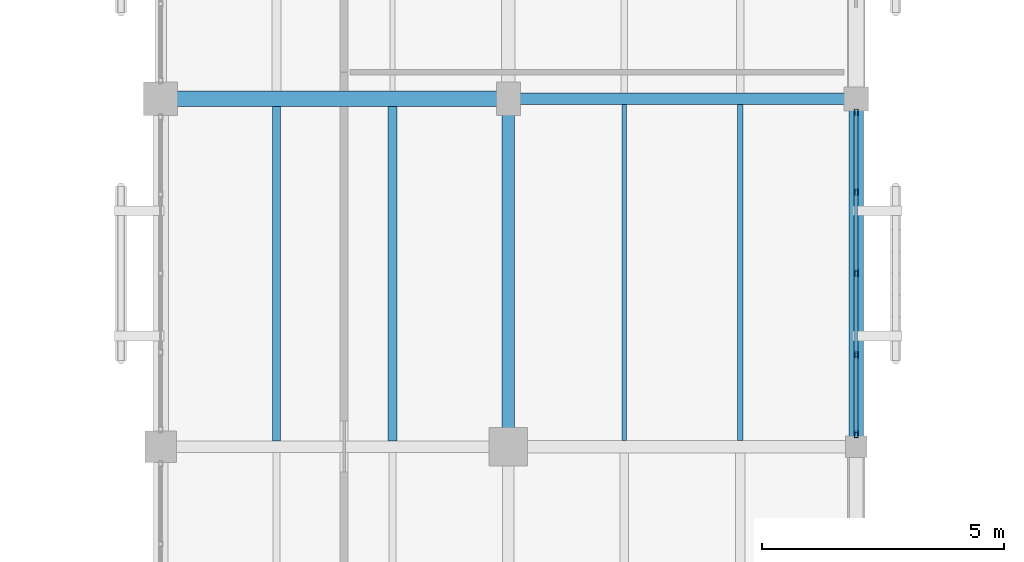
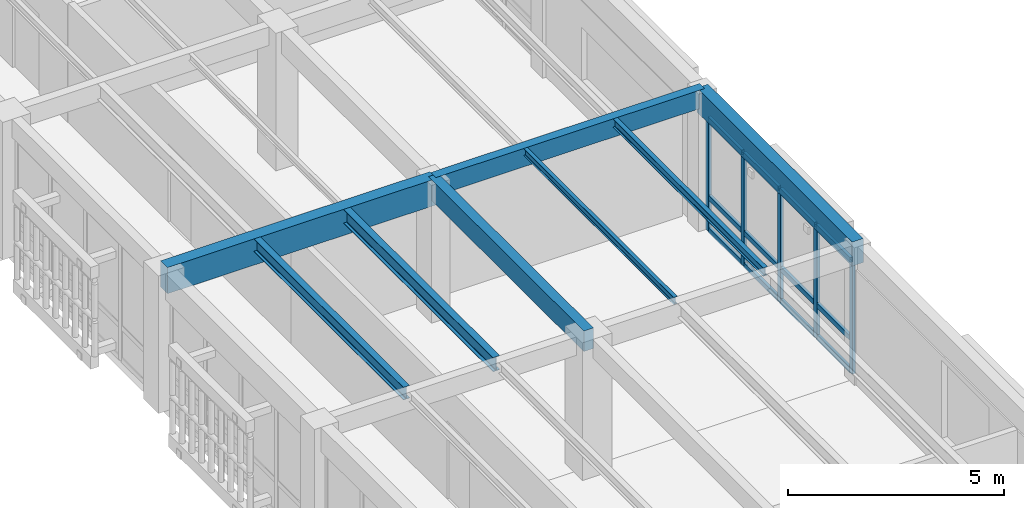
# One storey, part 42 of 170: 17 members, 8 beams, 1 element without a shape of its own.
"""IFC4 building model written with IfcOpenShell, lengths in metres."""

import ifcopenshell
import ifcopenshell.guid

model = None  # the IFC model being written
_history = None  # IfcOwnerHistory: only IFC2X3 demands one
_inside = {}  # id of a spatial element -> (the spatial element, [elements in it])
_under = {}  # id of a project, library or spatial element -> (it, [spatial elements below it])
_declared = {}  # id of a project -> (the project, [libraries it declares])
_typed = {}  # id of a type object -> (the type object, [elements of that type])
_made_of = {}  # id of a material, layer set ... -> (it, [elements and type objects made of it])


def new_model(schema):
    """Start an empty IFC model of exactly this schema.

    Asked for "IFC4X3", IfcOpenShell would pick the latest addendum, in which some entities
    have other attributes; the version numbers below select the first issue.
    IFC2X3 requires an IfcOwnerHistory on every rooted entity: one is made here for all.
    """
    global model, _history
    if schema == "IFC4X3":
        model = ifcopenshell.file(schema_version=(4, 3, 0, 0))
    else:
        model = ifcopenshell.file(schema=schema)
    _inside.clear()
    _under.clear()
    _declared.clear()
    _typed.clear()
    _made_of.clear()
    _history = None
    if model.schema == "IFC2X3":
        org = make("IfcOrganization", Name="unknown")
        user = make(
            "IfcPersonAndOrganization",
            ThePerson=make("IfcPerson", FamilyName="unknown"),
            TheOrganization=org,
        )
        app = make(
            "IfcApplication",
            ApplicationDeveloper=org,
            Version="unknown",
            ApplicationFullName="unknown",
            ApplicationIdentifier="unknown",
        )
        _history = make(
            "IfcOwnerHistory",
            OwningUser=user,
            OwningApplication=app,
            ChangeAction="ADDED",
            CreationDate=0,
        )
    return model


def make(cls, **values):
    """One entity of the class cls with the attributes given. An attribute that is None is left unset."""
    return model.create_entity(
        cls, **{name: value for name, value in values.items() if value is not None}
    )


def rooted(cls, **values):
    """An entity with a GlobalId (a new one), such as an element, a storey or a relation."""
    return make(cls, GlobalId=ifcopenshell.guid.new(), OwnerHistory=_history, **values)


def si_unit(unit_type, name, prefix=None):
    """IfcSIUnit, for example si_unit("LENGTHUNIT", "METRE", prefix="MILLI")."""
    return make("IfcSIUnit", UnitType=unit_type, Prefix=prefix, Name=name)


def assignment(units):
    """IfcUnitAssignment: the units of a project."""
    return None if units is None else make("IfcUnitAssignment", Units=units)


def point(xyz):
    """IfcCartesianPoint."""
    return None if xyz is None else make("IfcCartesianPoint", Coordinates=xyz)


def direction(xyz):
    """IfcDirection."""
    return None if xyz is None else make("IfcDirection", DirectionRatios=xyz)


def frame(location, z_axis=None, x_axis=None):
    """IfcAxis2Placement3D, a coordinate frame: its origin and axes. An axis left out is left unset."""
    return make(
        "IfcAxis2Placement3D",
        Location=point(location),
        Axis=direction(z_axis),
        RefDirection=direction(x_axis),
    )


def frame_2d(location, x_axis=None):
    """IfcAxis2Placement2D, a coordinate frame in the plane: its origin and x axis."""
    return make(
        "IfcAxis2Placement2D", Location=point(location), RefDirection=direction(x_axis)
    )


def origin():
    """The frame at (0, 0, 0) with its axes left unset."""
    return frame((0.0, 0.0, 0.0))


def origin_2d():
    """The frame at (0, 0) in the plane with its x axis left unset."""
    return frame_2d((0.0, 0.0))


def place(relative_to, where):
    """IfcLocalPlacement: puts the frame where relative to a parent placement (None: the world)."""
    return make(
        "IfcLocalPlacement", PlacementRelTo=relative_to, RelativePlacement=where
    )


def context(
    kind, dimensions, precision=None, world=None, true_north=None, identifier=None
):
    """IfcGeometricRepresentationContext, for example the 3D "Model" context."""
    return make(
        "IfcGeometricRepresentationContext",
        ContextIdentifier=identifier,
        ContextType=kind,
        CoordinateSpaceDimension=dimensions,
        Precision=precision,
        WorldCoordinateSystem=world,
        TrueNorth=true_north,
    )


def subcontext(parent, identifier, kind, view, scale=None):
    """IfcGeometricRepresentationSubContext, for example "Body" below "Model"."""
    return make(
        "IfcGeometricRepresentationSubContext",
        ContextIdentifier=identifier,
        ContextType=kind,
        ParentContext=parent,
        TargetScale=scale,
        TargetView=view,
    )


def project(units=None, contexts=None):
    """IfcProject with its units and contexts."""
    return rooted(
        "IfcProject",
        Name="project",
        RepresentationContexts=contexts,
        UnitsInContext=assignment(units),
    )


def spatial(cls, under=None, at=None, **own):
    """A site, building, storey or space (cls), placed at a placement, below another one or the project."""
    s = rooted(cls, ObjectPlacement=at, **own)
    if under is not None:
        _under.setdefault(under.id(), (under, []))[1].append(s)
    return s


def profile(cls, at=None, kind="AREA", **sizes):
    """A parametric profile (cls). Its sizes go by their IFC names, for example OverallWidth=200.0."""
    return make(cls, ProfileType=kind, Position=at, **sizes)


def rectangle(**sizes):
    """IfcRectangleProfileDef."""
    return profile("IfcRectangleProfileDef", **sizes)


def hollow_rectangle(**sizes):
    """IfcRectangleHollowProfileDef."""
    return profile("IfcRectangleHollowProfileDef", **sizes)


def i_section(**sizes):
    """IfcIShapeProfileDef."""
    return profile("IfcIShapeProfileDef", **sizes)


def extrude(swept, where, along, depth):
    """IfcExtrudedAreaSolid: the profile swept, set in the frame where, extruded along a direction by depth."""
    return make(
        "IfcExtrudedAreaSolid",
        SweptArea=swept,
        Position=where,
        ExtrudedDirection=direction(along),
        Depth=depth,
    )


def shape(context_of_items, identifier, shape_type, items):
    """IfcShapeRepresentation: the items that make up one representation, for example the "Body"."""
    return make(
        "IfcShapeRepresentation",
        ContextOfItems=context_of_items,
        RepresentationIdentifier=identifier,
        RepresentationType=shape_type,
        Items=items,
    )


def material(Name=None, Category=None):
    """IfcMaterial."""
    return make("IfcMaterial", Name=Name, Category=Category)


def layer(
    of_material, thickness, ventilated=None, Name=None, Category=None, Priority=None
):
    """IfcMaterialLayer: one layer of a wall or slab, of a material (None: an air gap)."""
    return make(
        "IfcMaterialLayer",
        Material=of_material,
        LayerThickness=thickness,
        IsVentilated=ventilated,
        Name=Name,
        Category=Category,
        Priority=Priority,
    )


def layer_set(layers, Name=None):
    """IfcMaterialLayerSet."""
    return make("IfcMaterialLayerSet", MaterialLayers=layers, LayerSetName=Name)


def material_profile(
    of_material, cross_section, Name=None, Category=None, Priority=None
):
    """IfcMaterialProfile: a cross section and its material."""
    return make(
        "IfcMaterialProfile",
        Name=Name,
        Material=of_material,
        Profile=cross_section,
        Priority=Priority,
        Category=Category,
    )


def profile_set(profiles, Name=None, composite=None):
    """IfcMaterialProfileSet."""
    return make(
        "IfcMaterialProfileSet",
        Name=Name,
        MaterialProfiles=profiles,
        CompositeProfile=composite,
    )


def made_of(thing, what):
    """Note that an element or type object is made of a material, layer set ...; save() writes the relation."""
    if what is not None:
        _made_of.setdefault(what.id(), (what, []))[1].append(thing)
    return thing


def type_object(cls, material=None, **own):
    """A type object (cls), such as IfcWallType, which elements share."""
    return made_of(rooted(cls, **own), material)


def element(
    cls,
    number,
    at=None,
    inside=None,
    cuts=None,
    type_object=None,
    material=None,
    context=None,
    identifier="Body",
    shape_type=None,
    held_by="IfcProductDefinitionShape",
    body=None,
    shapes=None,
    **own,
):
    """One element of the class cls, such as IfcWall. Its Tag is "e" and its number.

    at: its placement. inside: the storey or other place that contains it. cuts: it is an
    opening in that element (IfcRelVoidsElement). A single representation is given by context,
    identifier, shape_type and body (its items); several are given by shapes. held_by: the class
    of the entity that holds the representations. save() writes the other relations.
    """
    e = rooted(cls, Tag="e%d" % number, ObjectPlacement=at, **own)
    if body is not None:
        shapes = [shape(context, identifier, shape_type, body)]
    if shapes is not None:
        e.Representation = make(held_by, Representations=shapes)
    if inside is not None:
        _inside.setdefault(inside.id(), (inside, []))[1].append(e)
    if cuts is not None:
        rooted(
            "IfcRelVoidsElement", RelatingBuildingElement=cuts, RelatedOpeningElement=e
        )
    if type_object is not None:
        _typed.setdefault(type_object.id(), (type_object, []))[1].append(e)
    return made_of(e, material)


def aggregate(whole, parts):
    """IfcRelAggregates: a whole, such as a stair, and the parts it consists of."""
    return rooted("IfcRelAggregates", RelatingObject=whole, RelatedObjects=parts)


def save(model, path):
    """Write the relations noted so far, then the file.

    IfcRelAggregates (storeys below a building ...), IfcRelContainedInSpatialStructure (elements
    in a storey), IfcRelDefinesByType, IfcRelAssociatesMaterial and IfcRelDeclares: one each for
    every whole, place, type object, material and project.
    """
    for whole, parts in _under.values():
        aggregate(whole, parts)
    for where, things in _inside.values():
        rooted(
            "IfcRelContainedInSpatialStructure",
            RelatedElements=things,
            RelatingStructure=where,
        )
    for kind, things in _typed.values():
        rooted("IfcRelDefinesByType", RelatedObjects=things, RelatingType=kind)
    for what, things in _made_of.values():
        rooted("IfcRelAssociatesMaterial", RelatedObjects=things, RelatingMaterial=what)
    for by, libraries in _declared.values():
        rooted("IfcRelDeclares", RelatingContext=by, RelatedDefinitions=libraries)
    model.write(path)


model = new_model("IFC4")

# Units and contexts
model_context = context("Model", 3, precision=1e-05, world=origin(), true_north=direction((0.0, 1.0)))
body_context = subcontext(model_context, "Body", "Model", "MODEL_VIEW")
ifc_project = project(units=[si_unit("LENGTHUNIT", "METRE"), si_unit("AREAUNIT", "SQUARE_METRE"), si_unit("VOLUMEUNIT", "CUBIC_METRE"), si_unit("PLANEANGLEUNIT", "RADIAN"), si_unit("MASSUNIT", "GRAM", prefix="KILO")], contexts=[model_context])

# Site, building, storey
site_placement = place(None, origin())
site = spatial("IfcSite", under=ifc_project, at=site_placement, CompositionType="ELEMENT")
building_placement = place(site_placement, origin())
building = spatial("IfcBuilding", under=site, at=building_placement, Name="Mazaris Harbour Polytechnic", CompositionType="ELEMENT")
storey_placement = place(building_placement, frame((0.0, 0.0, 5.39990234375)))
storey = spatial("IfcBuildingStorey", under=building, at=storey_placement, Name="L01", CompositionType="ELEMENT", Elevation=5.39990234375)

# Curtain wall, members
ifc_material_1 = material(Name="Anodised Bronze Aluminium and Low-E Glass", Category="aluminium")
ifc_layer = layer(ifc_material_1, 0.159912109375, Name="Anodised Bronze Aluminium and Low-E Glass")
ifc_layer_set = layer_set([ifc_layer], Name="Anodised Bronze Aluminium and Low-E Glass")
curtain_wall_type = type_object("IfcCurtainWallType", Name="Cloister Court Curtain Wall", PredefinedType="NOTDEFINED", material=ifc_layer_set)
curtain_wall_placement = place(storey_placement, origin())
curtain_wall = element("IfcCurtainWall", 1, at=curtain_wall_placement, inside=storey, type_object=curtain_wall_type, Name="V4 L01 Curtain Wall 113", PredefinedType="NOTDEFINED")
ifc_material_2 = material(Name="Anodised Bronze Steel S355", Category="steel")
ifc_material_profile_1 = material_profile(ifc_material_2, hollow_rectangle(XDim=0.080078125, YDim=0.139892578125, WallThickness=0.00634765625, at=origin_2d()), Name="RHS 80x140x6.3")
ifc_profile_set_1 = profile_set([ifc_material_profile_1], Name="Anodised Bronze Steel S355")
member_type_1 = type_object("IfcMemberType", Name="Curtain Mullion RHS80x140", PredefinedType="MULLION", material=ifc_profile_set_1)
member_1_placement = place(storey_placement, frame((43.199951171875, 60.91796875, 0.0), z_axis=(0.0, 0.0, 1.0), x_axis=(1.0, 0.0, 0.0)))
member_1 = element("IfcMember", 2, at=member_1_placement, type_object=member_type_1, Name="CW-02 mullion 1", PredefinedType="MULLION", context=body_context, shape_type="SweptSolid", body=[
    extrude(hollow_rectangle(XDim=0.080078125, YDim=0.139892578125, WallThickness=0.00634765625, at=origin_2d()), origin(), (0.0, 0.0, 1.0), 3.2001953125),
])
member_2_placement = place(storey_placement, frame((43.199951171875, 59.272705078125, 0.0), z_axis=(0.0, 0.0, 1.0), x_axis=(1.0, 0.0, 0.0)))
member_2 = element("IfcMember", 3, at=member_2_placement, type_object=member_type_1, Name="CW-02 mullion 2", PredefinedType="MULLION", context=body_context, shape_type="SweptSolid", body=[
    extrude(hollow_rectangle(XDim=0.080078125, YDim=0.139892578125, WallThickness=0.00634765625, at=origin_2d()), origin(), (0.0, 0.0, 1.0), 3.2001953125),
])
member_3_placement = place(storey_placement, frame((43.199951171875, 57.58740234375, 0.0), z_axis=(0.0, 0.0, 1.0), x_axis=(1.0, 0.0, 0.0)))
member_3 = element("IfcMember", 4, at=member_3_placement, type_object=member_type_1, Name="CW-02 mullion 3", PredefinedType="MULLION", context=body_context, shape_type="SweptSolid", body=[
    extrude(hollow_rectangle(XDim=0.080078125, YDim=0.139892578125, WallThickness=0.00634765625, at=origin_2d()), origin(), (0.0, 0.0, 1.0), 3.2001953125),
])
member_4_placement = place(storey_placement, frame((43.199951171875, 55.90234375, 0.0), z_axis=(0.0, 0.0, 1.0), x_axis=(1.0, 0.0, 0.0)))
member_4 = element("IfcMember", 5, at=member_4_placement, type_object=member_type_1, Name="CW-02 mullion 4", PredefinedType="MULLION", context=body_context, shape_type="SweptSolid", body=[
    extrude(hollow_rectangle(XDim=0.080078125, YDim=0.139892578125, WallThickness=0.00634765625, at=origin_2d()), origin(), (0.0, 0.0, 1.0), 3.2001953125),
])
member_5_placement = place(storey_placement, frame((43.199951171875, 54.257080078125, 0.0), z_axis=(0.0, 0.0, 1.0), x_axis=(1.0, 0.0, 0.0)))
member_5 = element("IfcMember", 6, at=member_5_placement, type_object=member_type_1, Name="CW-02 mullion 5", PredefinedType="MULLION", context=body_context, shape_type="SweptSolid", body=[
    extrude(hollow_rectangle(XDim=0.080078125, YDim=0.139892578125, WallThickness=0.00634765625, at=origin_2d()), origin(), (0.0, 0.0, 1.0), 3.2001953125),
])
ifc_material_3 = material(Name="Anodised Bronze Steel S355", Category="steel")
ifc_material_profile_2 = material_profile(ifc_material_3, hollow_rectangle(XDim=0.080078125, YDim=0.139892578125, WallThickness=0.00634765625, at=origin_2d()), Name="RHS 80x140x6.3")
ifc_profile_set_2 = profile_set([ifc_material_profile_2], Name="Anodised Bronze Steel S355")
member_type_2 = type_object("IfcMemberType", Name="Curtain Transom RHS80x140", PredefinedType="USERDEFINED", material=ifc_profile_set_2)
member_6_placement = place(storey_placement, frame((43.199951171875, 60.8779296875, 0.0400390625), z_axis=(0.0, -1.0, 0.0), x_axis=(1.0, 0.0, 0.0)))
member_6 = element("IfcMember", 7, at=member_6_placement, type_object=member_type_2, Name="CW-02 transom 1.1", ObjectType="TRANSOM", PredefinedType="USERDEFINED", context=body_context, shape_type="SweptSolid", body=[
    extrude(hollow_rectangle(XDim=0.080078125, YDim=0.139892578125, WallThickness=0.00634765625, at=origin_2d()), origin(), (0.0, 0.0, 1.0), 1.565185546875),
])
member_7_placement = place(storey_placement, frame((43.199951171875, 60.8779296875, 0.9501953125), z_axis=(0.0, -1.0, 0.0), x_axis=(1.0, 0.0, 0.0)))
member_7 = element("IfcMember", 8, at=member_7_placement, type_object=member_type_2, Name="CW-02 transom 1.2", ObjectType="TRANSOM", PredefinedType="USERDEFINED", context=body_context, shape_type="SweptSolid", body=[
    extrude(hollow_rectangle(XDim=0.080078125, YDim=0.139892578125, WallThickness=0.00634765625, at=origin_2d()), origin(), (0.0, 0.0, 1.0), 1.565185546875),
])
member_8_placement = place(storey_placement, frame((43.199951171875, 60.8779296875, 3.16015625), z_axis=(0.0, -1.0, 0.0), x_axis=(1.0, 0.0, 0.0)))
member_8 = element("IfcMember", 9, at=member_8_placement, type_object=member_type_2, Name="CW-02 transom 1.3", ObjectType="TRANSOM", PredefinedType="USERDEFINED", context=body_context, shape_type="SweptSolid", body=[
    extrude(hollow_rectangle(XDim=0.080078125, YDim=0.139892578125, WallThickness=0.00634765625, at=origin_2d()), origin(), (0.0, 0.0, 1.0), 1.565185546875),
])
member_9_placement = place(storey_placement, frame((43.199951171875, 59.232666015625, 0.0400390625), z_axis=(0.0, -1.0, 0.0), x_axis=(1.0, 0.0, 0.0)))
member_9 = element("IfcMember", 10, at=member_9_placement, type_object=member_type_2, Name="CW-02 transom 2.1", ObjectType="TRANSOM", PredefinedType="USERDEFINED", context=body_context, shape_type="SweptSolid", body=[
    extrude(hollow_rectangle(XDim=0.080078125, YDim=0.139892578125, WallThickness=0.00634765625, at=origin_2d()), origin(), (0.0, 0.0, 1.0), 1.605224609375),
])
member_10_placement = place(storey_placement, frame((43.199951171875, 59.232666015625, 0.9501953125), z_axis=(0.0, -1.0, 0.0), x_axis=(1.0, 0.0, 0.0)))
member_10 = element("IfcMember", 11, at=member_10_placement, type_object=member_type_2, Name="CW-02 transom 2.2", ObjectType="TRANSOM", PredefinedType="USERDEFINED", context=body_context, shape_type="SweptSolid", body=[
    extrude(hollow_rectangle(XDim=0.080078125, YDim=0.139892578125, WallThickness=0.00634765625, at=origin_2d()), origin(), (0.0, 0.0, 1.0), 1.605224609375),
])
member_11_placement = place(storey_placement, frame((43.199951171875, 59.232666015625, 3.16015625), z_axis=(0.0, -1.0, 0.0), x_axis=(1.0, 0.0, 0.0)))
member_11 = element("IfcMember", 12, at=member_11_placement, type_object=member_type_2, Name="CW-02 transom 2.3", ObjectType="TRANSOM", PredefinedType="USERDEFINED", context=body_context, shape_type="SweptSolid", body=[
    extrude(hollow_rectangle(XDim=0.080078125, YDim=0.139892578125, WallThickness=0.00634765625, at=origin_2d()), origin(), (0.0, 0.0, 1.0), 1.605224609375),
])
member_12_placement = place(storey_placement, frame((43.199951171875, 57.547607421875, 0.0400390625), z_axis=(0.0, -1.0, 0.0), x_axis=(1.0, 0.0, 0.0)))
member_12 = element("IfcMember", 13, at=member_12_placement, type_object=member_type_2, Name="CW-02 transom 3.1", ObjectType="TRANSOM", PredefinedType="USERDEFINED", context=body_context, shape_type="SweptSolid", body=[
    extrude(hollow_rectangle(XDim=0.080078125, YDim=0.139892578125, WallThickness=0.00634765625, at=origin_2d()), origin(), (0.0, 0.0, 1.0), 1.60546875),
])
member_13_placement = place(storey_placement, frame((43.199951171875, 57.547607421875, 0.9501953125), z_axis=(0.0, -1.0, 0.0), x_axis=(1.0, 0.0, 0.0)))
member_13 = element("IfcMember", 14, at=member_13_placement, type_object=member_type_2, Name="CW-02 transom 3.2", ObjectType="TRANSOM", PredefinedType="USERDEFINED", context=body_context, shape_type="SweptSolid", body=[
    extrude(hollow_rectangle(XDim=0.080078125, YDim=0.139892578125, WallThickness=0.00634765625, at=origin_2d()), origin(), (0.0, 0.0, 1.0), 1.60546875),
])
member_14_placement = place(storey_placement, frame((43.199951171875, 57.547607421875, 3.16015625), z_axis=(0.0, -1.0, 0.0), x_axis=(1.0, 0.0, 0.0)))
member_14 = element("IfcMember", 15, at=member_14_placement, type_object=member_type_2, Name="CW-02 transom 3.3", ObjectType="TRANSOM", PredefinedType="USERDEFINED", context=body_context, shape_type="SweptSolid", body=[
    extrude(hollow_rectangle(XDim=0.080078125, YDim=0.139892578125, WallThickness=0.00634765625, at=origin_2d()), origin(), (0.0, 0.0, 1.0), 1.60546875),
])
member_15_placement = place(storey_placement, frame((43.199951171875, 55.8623046875, 0.0400390625), z_axis=(0.0, -1.0, 0.0), x_axis=(1.0, 0.0, 0.0)))
member_15 = element("IfcMember", 16, at=member_15_placement, type_object=member_type_2, Name="CW-02 transom 4.1", ObjectType="TRANSOM", PredefinedType="USERDEFINED", context=body_context, shape_type="SweptSolid", body=[
    extrude(hollow_rectangle(XDim=0.080078125, YDim=0.139892578125, WallThickness=0.00634765625, at=origin_2d()), origin(), (0.0, 0.0, 1.0), 1.565185546875),
])
member_16_placement = place(storey_placement, frame((43.199951171875, 55.8623046875, 0.9501953125), z_axis=(0.0, -1.0, 0.0), x_axis=(1.0, 0.0, 0.0)))
member_16 = element("IfcMember", 17, at=member_16_placement, type_object=member_type_2, Name="CW-02 transom 4.2", ObjectType="TRANSOM", PredefinedType="USERDEFINED", context=body_context, shape_type="SweptSolid", body=[
    extrude(hollow_rectangle(XDim=0.080078125, YDim=0.139892578125, WallThickness=0.00634765625, at=origin_2d()), origin(), (0.0, 0.0, 1.0), 1.565185546875),
])
member_17_placement = place(storey_placement, frame((43.199951171875, 55.8623046875, 3.16015625), z_axis=(0.0, -1.0, 0.0), x_axis=(1.0, 0.0, 0.0)))
member_17 = element("IfcMember", 18, at=member_17_placement, type_object=member_type_2, Name="CW-02 transom 4.3", ObjectType="TRANSOM", PredefinedType="USERDEFINED", context=body_context, shape_type="SweptSolid", body=[
    extrude(hollow_rectangle(XDim=0.080078125, YDim=0.139892578125, WallThickness=0.00634765625, at=origin_2d()), origin(), (0.0, 0.0, 1.0), 1.565185546875),
])
aggregate(curtain_wall, [member_1, member_2, member_3, member_4, member_5, member_6, member_7, member_8, member_9, member_10, member_11, member_12, member_13, member_14, member_15, member_16, member_17])

# Beams
ifc_material_4 = material(Name="Glulam GL32h", Category="wood")
ifc_material_profile_3 = material_profile(ifc_material_4, rectangle(XDim=0.239990234375, YDim=0.52001953125, at=origin_2d()), Name="RECT240x520")
ifc_profile_set_3 = profile_set([ifc_material_profile_3], Name="Glulam GL32h")
beam_type_1 = type_object("IfcBeamType", Name="Glulam Girder 240x520", PredefinedType="BEAM", material=ifc_profile_set_3)
beam_1_placement = place(storey_placement, frame((36.0, 61.199951171875, 3.630126953125), z_axis=(1.0, 0.0, 0.0), x_axis=(0.0, 1.0, 0.0)))
element("IfcBeam", 19, at=beam_1_placement, inside=storey, type_object=beam_type_1, Name="V4 L01 Girder 1665", PredefinedType="BEAM", context=body_context, shape_type="SweptSolid", body=[
    extrude(rectangle(XDim=0.239990234375, YDim=0.52001953125, at=origin_2d()), origin(), (0.0, 0.0, 1.0), 7.199951171875),
])
ifc_material_5 = material(Name="Glulam GL32h", Category="wood")
ifc_material_profile_4 = material_profile(ifc_material_5, rectangle(XDim=0.260009765625, YDim=0.580078125, at=origin_2d()), Name="RECT260x580")
ifc_profile_set_4 = profile_set([ifc_material_profile_4], Name="Glulam GL32h")
beam_type_2 = type_object("IfcBeamType", Name="Glulam Girder 260x580", PredefinedType="BEAM", material=ifc_profile_set_4)
beam_2_placement = place(storey_placement, frame((36.0, 54.0, 3.60009765625), z_axis=(0.0, 1.0, 0.0), x_axis=(-1.0, 0.0, 0.0)))
element("IfcBeam", 20, at=beam_2_placement, inside=storey, type_object=beam_type_2, Name="V4 L01 Tie Girder 1756", PredefinedType="BEAM", context=body_context, shape_type="SweptSolid", body=[
    extrude(rectangle(XDim=0.260009765625, YDim=0.580078125, at=origin_2d()), origin(), (0.0, 0.0, 1.0), 7.199951171875),
])
ifc_material_6 = material(Name="Glulam GL32h", Category="wood")
ifc_material_profile_5 = material_profile(ifc_material_6, rectangle(XDim=0.300048828125, YDim=0.679931640625, at=origin_2d()), Name="RECT300x680")
ifc_profile_set_5 = profile_set([ifc_material_profile_5], Name="Glulam GL32h")
beam_type_3 = type_object("IfcBeamType", Name="Glulam Girder 300x680 Exterior", PredefinedType="BEAM", material=ifc_profile_set_5)
beam_3_placement = place(storey_placement, frame((43.199951171875, 54.0, 3.550048828125), z_axis=(0.0, 1.0, 0.0), x_axis=(-1.0, 0.0, 0.0)))
element("IfcBeam", 21, at=beam_3_placement, inside=storey, type_object=beam_type_3, Name="V4 L01 Tie Girder 1768", PredefinedType="BEAM", context=body_context, shape_type="SweptSolid", body=[
    extrude(rectangle(XDim=0.300048828125, YDim=0.679931640625, at=origin_2d()), origin(), (0.0, 0.0, 1.0), 7.199951171875),
])
ifc_material_7 = material(Name="Glulam GL32h", Category="wood")
ifc_material_profile_6 = material_profile(ifc_material_7, rectangle(XDim=0.320068359375, YDim=0.739990234375, at=origin_2d()), Name="RECT320x740")
ifc_profile_set_6 = profile_set([ifc_material_profile_6], Name="Glulam GL32h")
beam_type_4 = type_object("IfcBeamType", Name="Glulam Girder 320x740", PredefinedType="BEAM", material=ifc_profile_set_6)
beam_4_placement = place(storey_placement, frame((28.800048828125, 61.199951171875, 3.52001953125), z_axis=(1.0, 0.0, 0.0), x_axis=(0.0, 1.0, 0.0)))
element("IfcBeam", 22, at=beam_4_placement, inside=storey, type_object=beam_type_4, Name="V4 L01 Girder 1664", PredefinedType="BEAM", context=body_context, shape_type="SweptSolid", body=[
    extrude(rectangle(XDim=0.320068359375, YDim=0.739990234375, at=origin_2d()), origin(), (0.0, 0.0, 1.0), 7.199951171875),
])
ifc_material_8 = material(Name="Steel S355", Category="steel")
ifc_material_profile_7 = material_profile(ifc_material_8, i_section(OverallWidth=0.10009765625, OverallDepth=0.199951171875, WebThickness=0.005615234375, FlangeThickness=0.008544921875, FilletRadius=0.011962890625, at=origin_2d()), Name="IPE 200")
ifc_profile_set_7 = profile_set([ifc_material_profile_7], Name="Steel S355")
beam_type_5 = type_object("IfcBeamType", Name="Steel Joist IPE200", PredefinedType="JOIST", material=ifc_profile_set_7)
beam_5_placement = place(storey_placement, frame((38.39990234375, 54.1298828125, 3.7900390625), z_axis=(0.0, 1.0, 0.0), x_axis=(-1.0, 0.0, 0.0)))
element("IfcBeam", 23, at=beam_5_placement, inside=storey, type_object=beam_type_5, Name="V4 L01 Floor Joist 1883", PredefinedType="JOIST", context=body_context, shape_type="SweptSolid", body=[
    extrude(i_section(OverallWidth=0.10009765625, OverallDepth=0.199951171875, WebThickness=0.005615234375, FlangeThickness=0.008544921875, FilletRadius=0.011962890625, at=origin_2d()), origin(), (0.0, 0.0, 1.0), 6.9501953125),
])
ifc_material_9 = material(Name="Steel S355", Category="steel")
ifc_material_profile_8 = material_profile(ifc_material_9, i_section(OverallWidth=0.1201171875, OverallDepth=0.239990234375, WebThickness=0.006103515625, FlangeThickness=0.009765625, FilletRadius=0.014892578125, at=origin_2d()), Name="IPE 240")
ifc_profile_set_8 = profile_set([ifc_material_profile_8], Name="Steel S355")
beam_type_6 = type_object("IfcBeamType", Name="Steel Joist IPE240", PredefinedType="JOIST", material=ifc_profile_set_8)
beam_6_placement = place(storey_placement, frame((40.800048828125, 54.1298828125, 3.77001953125), z_axis=(0.0, 1.0, 0.0), x_axis=(-1.0, 0.0, 0.0)))
element("IfcBeam", 24, at=beam_6_placement, inside=storey, type_object=beam_type_6, Name="V4 L01 Floor Joist 1884", PredefinedType="JOIST", context=body_context, shape_type="SweptSolid", body=[
    extrude(i_section(OverallWidth=0.1201171875, OverallDepth=0.239990234375, WebThickness=0.006103515625, FlangeThickness=0.009765625, FilletRadius=0.014892578125, at=origin_2d()), origin(), (0.0, 0.0, 1.0), 6.9501953125),
])
ifc_material_10 = material(Name="Steel S355", Category="steel")
ifc_material_profile_9 = material_profile(ifc_material_10, i_section(OverallWidth=0.169921875, OverallDepth=0.360107421875, WebThickness=0.008056640625, FlangeThickness=0.0126953125, FilletRadius=0.01806640625, at=origin_2d()), Name="IPE 360")
ifc_profile_set_9 = profile_set([ifc_material_profile_9], Name="Steel S355")
beam_type_7 = type_object("IfcBeamType", Name="Steel Joist IPE360", PredefinedType="JOIST", material=ifc_profile_set_9)
beam_7_placement = place(storey_placement, frame((31.199951171875, 54.1201171875, 3.710205078125), z_axis=(0.0, 1.0, 0.0), x_axis=(-1.0, 0.0, 0.0)))
element("IfcBeam", 25, at=beam_7_placement, inside=storey, type_object=beam_type_7, Name="V4 L01 Floor Joist 1859", PredefinedType="JOIST", context=body_context, shape_type="SweptSolid", body=[
    extrude(i_section(OverallWidth=0.169921875, OverallDepth=0.360107421875, WebThickness=0.008056640625, FlangeThickness=0.0126953125, FilletRadius=0.01806640625, at=origin_2d()), origin(), (0.0, 0.0, 1.0), 6.919921875),
])
ifc_material_11 = material(Name="Steel S355", Category="steel")
ifc_material_profile_10 = material_profile(ifc_material_11, i_section(OverallWidth=0.179931640625, OverallDepth=0.39990234375, WebThickness=0.008544921875, FlangeThickness=0.013427734375, FilletRadius=0.02099609375, at=origin_2d()), Name="IPE 400")
ifc_profile_set_10 = profile_set([ifc_material_profile_10], Name="Steel S355")
beam_type_8 = type_object("IfcBeamType", Name="Steel Joist IPE400", PredefinedType="JOIST", material=ifc_profile_set_10)
beam_8_placement = place(storey_placement, frame((33.60009765625, 54.1201171875, 3.690185546875), z_axis=(0.0, 1.0, 0.0), x_axis=(-1.0, 0.0, 0.0)))
element("IfcBeam", 26, at=beam_8_placement, inside=storey, type_object=beam_type_8, Name="V4 L01 Floor Joist 1860", PredefinedType="JOIST", context=body_context, shape_type="SweptSolid", body=[
    extrude(i_section(OverallWidth=0.179931640625, OverallDepth=0.39990234375, WebThickness=0.008544921875, FlangeThickness=0.013427734375, FilletRadius=0.02099609375, at=origin_2d()), origin(), (0.0, 0.0, 1.0), 6.919921875),
])

save(model, "model.ifc")
